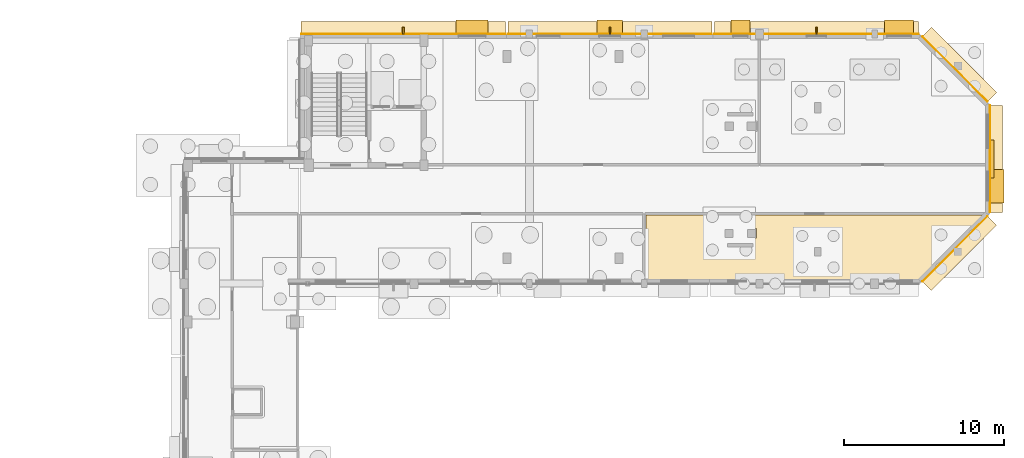
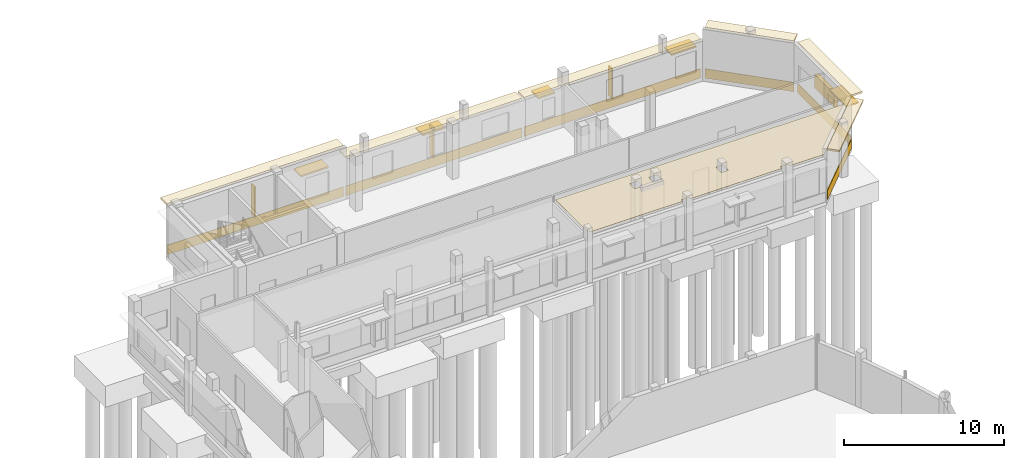
# One storey, part 92 of 93: 13 coverings, 9 shading devices.
"""IFC4 building model written with IfcOpenShell, lengths in metres."""

from ifc_helpers import new_model, si_unit, direction, frame, origin, origin_2d, place, context, subcontext, project, spatial, polyline, rectangle, outline, extrude, material, layer, layer_set, type_object, element, save


model = new_model("IFC4")

# Units and contexts
model_context = context("Model", 3, precision=1e-05, world=origin(), true_north=direction((0.0, 1.0)))
body_context = subcontext(model_context, "Body", "Model", "MODEL_VIEW")
ifc_project = project(units=[si_unit("LENGTHUNIT", "METRE"), si_unit("AREAUNIT", "SQUARE_METRE"), si_unit("VOLUMEUNIT", "CUBIC_METRE"), si_unit("PLANEANGLEUNIT", "RADIAN"), si_unit("MASSUNIT", "GRAM", prefix="KILO")], contexts=[model_context])

# Site, building, storey
site_placement = place(None, origin())
site = spatial("IfcSite", under=ifc_project, at=site_placement, CompositionType="ELEMENT")
building_placement = place(site_placement, origin())
building = spatial("IfcBuilding", under=site, at=building_placement, Name="Kelanivale Promenade Academy", CompositionType="ELEMENT")
storey_placement = place(building_placement, origin())
storey = spatial("IfcBuildingStorey", under=building, at=storey_placement, Name="L00", CompositionType="ELEMENT", Elevation=0.0)

# Coverings
ifc_material_1 = material(Name="Warm ivory Art Deco stucco frieze band 40 mm", Category="masonry")
ifc_layer_1 = layer(ifc_material_1, 0.0400390625)
ifc_layer_set_1 = layer_set([ifc_layer_1], Name="Warm ivory Art Deco stucco frieze band 40 mm")
covering_type_1 = type_object("IfcCoveringType", Name="COV-CLD2 Warm ivory Art Deco stucco frieze ba", PredefinedType="CLADDING", material=ifc_layer_set_1)
covering_1_placement = place(storey_placement, frame((164.09912109375, 98.301025390625, 3.81982421875), z_axis=(0.0, 0.0, 1.0), x_axis=(0.707106781187, 0.707106781187, 0.0)))
element("IfcCovering", 1, at=covering_1_placement, inside=storey, type_object=covering_type_1, Name="Art Deco projecting 820 mm streamline sunshade eyebrow ledge", PredefinedType="CLADDING", context=body_context, shape_type="SweptSolid", body=[
    extrude(rectangle(XDim=5.777099609375, YDim=0.820068359375, at=origin_2d()), origin(), (0.0, 0.0, 1.0), 0.139892578125),
])
covering_2_placement = place(storey_placement, frame((163.826904296875, 98.572998046875, 0.06005859375), z_axis=(0.0, 0.0, 1.0), x_axis=(0.707106781187, 0.707106781187, 0.0)))
element("IfcCovering", 2, at=covering_2_placement, inside=storey, type_object=covering_type_1, Name="Art Deco ivory stucco sill frieze band", PredefinedType="CLADDING", context=body_context, shape_type="SweptSolid", body=[
    extrude(rectangle(XDim=5.777099609375, YDim=0.0400390625, at=origin_2d()), origin(), (0.0, 0.0, 1.0), 0.719970703125),
])
covering_3_placement = place(storey_placement, frame((166.39990234375, 104.199951171875, 3.81982421875), z_axis=(0.0, 0.0, 1.0), x_axis=(0.0, 1.0, 0.0)))
element("IfcCovering", 3, at=covering_3_placement, inside=storey, type_object=covering_type_1, Name="Art Deco projecting 820 mm streamline sunshade eyebrow ledge", PredefinedType="CLADDING", context=body_context, shape_type="SweptSolid", body=[
    extrude(rectangle(XDim=6.699951171875, YDim=0.820068359375, at=origin_2d()), origin(), (0.0, 0.0, 1.0), 0.139892578125),
])
covering_4_placement = place(storey_placement, frame((166.014892578125, 104.199951171875, 0.06005859375), z_axis=(0.0, 0.0, 1.0), x_axis=(0.0, 1.0, 0.0)))
element("IfcCovering", 4, at=covering_4_placement, inside=storey, type_object=covering_type_1, Name="Art Deco ivory stucco sill frieze band", PredefinedType="CLADDING", context=body_context, shape_type="SweptSolid", body=[
    extrude(rectangle(XDim=6.699951171875, YDim=0.0400390625, at=origin_2d()), origin(), (0.0, 0.0, 1.0), 0.719970703125),
])
covering_5_placement = place(storey_placement, frame((164.09912109375, 110.09912109375, 3.81982421875), z_axis=(0.0, 0.0, 1.0), x_axis=(-0.707106781187, 0.707106781187, 0.0)))
element("IfcCovering", 5, at=covering_5_placement, inside=storey, type_object=covering_type_1, Name="Art Deco projecting 820 mm streamline sunshade eyebrow ledge", PredefinedType="CLADDING", context=body_context, shape_type="SweptSolid", body=[
    extrude(rectangle(XDim=5.777099609375, YDim=0.820068359375, at=origin_2d()), origin(), (0.0, 0.0, 1.0), 0.139892578125),
])
covering_6_placement = place(storey_placement, frame((163.826904296875, 109.826904296875, 0.06005859375), z_axis=(0.0, 0.0, 1.0), x_axis=(-0.707106781187, 0.707106781187, 0.0)))
element("IfcCovering", 6, at=covering_6_placement, inside=storey, type_object=covering_type_1, Name="Art Deco ivory stucco sill frieze band", PredefinedType="CLADDING", context=body_context, shape_type="SweptSolid", body=[
    extrude(rectangle(XDim=5.777099609375, YDim=0.0400390625, at=origin_2d()), origin(), (0.0, 0.0, 1.0), 0.719970703125),
])
covering_7_placement = place(storey_placement, frame((155.166015625, 112.39990234375, 2.9052734375), z_axis=(0.0, 0.0, 1.0), x_axis=(-1.0, 0.0, 0.0)))
element("IfcCovering", 7, at=covering_7_placement, inside=storey, type_object=covering_type_1, Name="Art Deco projecting 820 mm streamline sunshade eyebrow ledge", PredefinedType="CLADDING", context=body_context, shape_type="SweptSolid", body=[
    extrude(rectangle(XDim=12.76708984375, YDim=0.820068359375, at=origin_2d()), origin(), (0.0, 0.0, 1.0), 0.139892578125),
])
covering_8_placement = place(storey_placement, frame((155.166015625, 112.014892578125, 0.06005859375), z_axis=(0.0, 0.0, 1.0), x_axis=(-1.0, 0.0, 0.0)))
element("IfcCovering", 8, at=covering_8_placement, inside=storey, type_object=covering_type_1, Name="Art Deco ivory stucco sill frieze band", PredefinedType="CLADDING", context=body_context, shape_type="SweptSolid", body=[
    extrude(rectangle(XDim=12.76708984375, YDim=0.0400390625, at=origin_2d()), origin(), (0.0, 0.0, 1.0), 0.719970703125),
])
covering_9_placement = place(storey_placement, frame((142.239990234375, 112.39990234375, 2.9052734375), z_axis=(0.0, 0.0, 1.0), x_axis=(-1.0, 0.0, 0.0)))
element("IfcCovering", 9, at=covering_9_placement, inside=storey, type_object=covering_type_1, Name="Art Deco projecting 820 mm streamline sunshade eyebrow ledge", PredefinedType="CLADDING", context=body_context, shape_type="SweptSolid", body=[
    extrude(rectangle(XDim=12.76611328125, YDim=0.820068359375, at=origin_2d()), origin(), (0.0, 0.0, 1.0), 0.139892578125),
])
covering_10_placement = place(storey_placement, frame((142.239990234375, 112.014892578125, 0.06005859375), z_axis=(0.0, 0.0, 1.0), x_axis=(-1.0, 0.0, 0.0)))
element("IfcCovering", 10, at=covering_10_placement, inside=storey, type_object=covering_type_1, Name="Art Deco ivory stucco sill frieze band", PredefinedType="CLADDING", context=body_context, shape_type="SweptSolid", body=[
    extrude(rectangle(XDim=12.76611328125, YDim=0.0400390625, at=origin_2d()), origin(), (0.0, 0.0, 1.0), 0.719970703125),
])
covering_11_placement = place(storey_placement, frame((129.31298828125, 112.39990234375, 3.81982421875), z_axis=(0.0, 0.0, 1.0), x_axis=(-1.0, 0.0, 0.0)))
element("IfcCovering", 11, at=covering_11_placement, inside=storey, type_object=covering_type_1, Name="Art Deco projecting 820 mm streamline sunshade eyebrow ledge", PredefinedType="CLADDING", context=body_context, shape_type="SweptSolid", body=[
    extrude(rectangle(XDim=12.76708984375, YDim=0.820068359375, at=origin_2d()), origin(), (0.0, 0.0, 1.0), 0.139892578125),
])
covering_12_placement = place(storey_placement, frame((129.31298828125, 112.014892578125, 0.06005859375), z_axis=(0.0, 0.0, 1.0), x_axis=(-1.0, 0.0, 0.0)))
element("IfcCovering", 12, at=covering_12_placement, inside=storey, type_object=covering_type_1, Name="Art Deco ivory stucco sill frieze band", PredefinedType="CLADDING", context=body_context, shape_type="SweptSolid", body=[
    extrude(rectangle(XDim=12.76708984375, YDim=0.0400390625, at=origin_2d()), origin(), (0.0, 0.0, 1.0), 0.719970703125),
])
ifc_material_2 = material(Name="Acoustic mineral-fibre ceiling tile 25 mm", Category="gypsum")
ifc_layer_2 = layer(ifc_material_2, 0.02490234375)
ifc_layer_set_2 = layer_set([ifc_layer_2], Name="Acoustic mineral-fibre ceiling tile 25 mm")
covering_type_2 = type_object("IfcCoveringType", Name="COV-CLG1 Acoustic mineral-fibre ceiling tile ", PredefinedType="CEILING", material=ifc_layer_set_2)
covering_13_placement = place(storey_placement, frame((0.0, 0.0, 3.550048828125)))
element("IfcCovering", 13, at=covering_13_placement, inside=storey, type_object=covering_type_2, Name="General Science Laboratory acoustic suspended ceiling", PredefinedType="CEILING", context=body_context, shape_type="SweptSolid", body=[
    extrude(outline(polyline([(144.510009765625, 100.68994140625), (144.510009765625, 96.7099609375), (144.594970703125, 96.7099609375), (144.59912109375, 96.7099609375), (144.60302734375, 96.708984375), (144.60693359375, 96.7080078125), (144.610107421875, 96.70703125), (144.614013671875, 96.705078125), (144.616943359375, 96.702880859375), (144.6201171875, 96.700927734375), (144.623046875, 96.697998046875), (144.6259765625, 96.695068359375), (144.6279296875, 96.69189453125), (144.6298828125, 96.68896484375), (144.632080078125, 96.68505859375), (144.633056640625, 96.681884765625), (144.634033203125, 96.677978515625), (144.635009765625, 96.674072265625), (144.635009765625, 96.669921875), (144.635009765625, 96.550048828125), (151.31494140625, 96.550048828125), (151.31494140625, 96.695068359375), (151.31494140625, 96.698974609375), (151.31591796875, 96.702880859375), (151.31689453125, 96.70703125), (151.318115234375, 96.7099609375), (151.320068359375, 96.714111328125), (151.322021484375, 96.717041015625), (151.323974609375, 96.719970703125), (151.326904296875, 96.722900390625), (151.330078125, 96.72607421875), (151.3330078125, 96.72802734375), (151.3359375, 96.72998046875), (151.340087890625, 96.73193359375), (151.343017578125, 96.73291015625), (151.346923828125, 96.73388671875), (151.35107421875, 96.735107421875), (151.35498046875, 96.735107421875), (151.844970703125, 96.735107421875), (151.84912109375, 96.735107421875), (151.85302734375, 96.73388671875), (151.85693359375, 96.73291015625), (151.860107421875, 96.73193359375), (151.864013671875, 96.72998046875), (151.866943359375, 96.72802734375), (151.8701171875, 96.72607421875), (151.873046875, 96.722900390625), (151.8759765625, 96.719970703125), (151.8779296875, 96.717041015625), (151.8798828125, 96.714111328125), (151.882080078125, 96.7099609375), (151.883056640625, 96.70703125), (151.884033203125, 96.702880859375), (151.885009765625, 96.698974609375), (151.885009765625, 96.695068359375), (151.885009765625, 96.550048828125), (158.489990234375, 96.550048828125), (158.489990234375, 96.719970703125), (158.489990234375, 96.72412109375), (158.490966796875, 96.72802734375), (158.491943359375, 96.73193359375), (158.492919921875, 96.735107421875), (158.4951171875, 96.739013671875), (158.4970703125, 96.741943359375), (158.4990234375, 96.7451171875), (158.501953125, 96.748046875), (158.5048828125, 96.7509765625), (158.508056640625, 96.7529296875), (158.510986328125, 96.7548828125), (158.514892578125, 96.757080078125), (158.51806640625, 96.758056640625), (158.52197265625, 96.759033203125), (158.52587890625, 96.760009765625), (158.530029296875, 96.760009765625), (159.070068359375, 96.760009765625), (159.073974609375, 96.760009765625), (159.077880859375, 96.759033203125), (159.08203125, 96.758056640625), (159.0849609375, 96.757080078125), (159.089111328125, 96.7548828125), (159.092041015625, 96.7529296875), (159.094970703125, 96.7509765625), (159.097900390625, 96.748046875), (159.10107421875, 96.7451171875), (159.10302734375, 96.741943359375), (159.10498046875, 96.739013671875), (159.10693359375, 96.735107421875), (159.10791015625, 96.73193359375), (159.10888671875, 96.72802734375), (159.110107421875, 96.72412109375), (159.110107421875, 96.719970703125), (159.110107421875, 96.550048828125), (161.570068359375, 96.550048828125), (165.7099609375, 100.68994140625), (144.510009765625, 100.68994140625)]), holes=[polyline([(155.510009765625, 98.10498046875), (155.510009765625, 98.10107421875), (155.509033203125, 98.096923828125), (155.508056640625, 98.093017578125), (155.507080078125, 98.090087890625), (155.5048828125, 98.0859375), (155.5029296875, 98.0830078125), (155.5009765625, 98.080078125), (155.498046875, 98.076904296875), (155.4951171875, 98.073974609375), (155.491943359375, 98.072021484375), (155.489013671875, 98.070068359375), (155.485107421875, 98.068115234375), (155.48193359375, 98.06689453125), (155.47802734375, 98.06591796875), (155.47412109375, 98.06494140625), (155.469970703125, 98.06494140625), (155.030029296875, 98.06494140625), (155.02587890625, 98.06494140625), (155.02197265625, 98.06591796875), (155.01806640625, 98.06689453125), (155.014892578125, 98.068115234375), (155.010986328125, 98.070068359375), (155.008056640625, 98.072021484375), (155.0048828125, 98.073974609375), (155.001953125, 98.076904296875), (154.9990234375, 98.080078125), (154.9970703125, 98.0830078125), (154.9951171875, 98.0859375), (154.992919921875, 98.090087890625), (154.991943359375, 98.093017578125), (154.990966796875, 98.096923828125), (154.989990234375, 98.10107421875), (154.989990234375, 98.10498046875), (154.989990234375, 98.695068359375), (154.989990234375, 98.698974609375), (154.990966796875, 98.702880859375), (154.991943359375, 98.70703125), (154.992919921875, 98.7099609375), (154.9951171875, 98.714111328125), (154.9970703125, 98.717041015625), (154.9990234375, 98.719970703125), (155.001953125, 98.722900390625), (155.0048828125, 98.72607421875), (155.008056640625, 98.72802734375), (155.010986328125, 98.72998046875), (155.014892578125, 98.73193359375), (155.01806640625, 98.73291015625), (155.02197265625, 98.73388671875), (155.02587890625, 98.735107421875), (155.030029296875, 98.735107421875), (155.469970703125, 98.735107421875), (155.47412109375, 98.735107421875), (155.47802734375, 98.73388671875), (155.48193359375, 98.73291015625), (155.485107421875, 98.73193359375), (155.489013671875, 98.72998046875), (155.491943359375, 98.72802734375), (155.4951171875, 98.72607421875), (155.498046875, 98.722900390625), (155.5009765625, 98.719970703125), (155.5029296875, 98.717041015625), (155.5048828125, 98.714111328125), (155.507080078125, 98.7099609375), (155.508056640625, 98.70703125), (155.509033203125, 98.702880859375), (155.510009765625, 98.698974609375), (155.510009765625, 98.695068359375), (155.510009765625, 98.10498046875)]), polyline([(150.830078125, 99.239990234375), (150.825927734375, 99.239990234375), (150.822021484375, 99.240966796875), (150.818115234375, 99.241943359375), (150.81494140625, 99.242919921875), (150.81103515625, 99.2451171875), (150.80810546875, 99.2470703125), (150.804931640625, 99.2490234375), (150.802001953125, 99.251953125), (150.799072265625, 99.2548828125), (150.797119140625, 99.258056640625), (150.794921875, 99.260986328125), (150.79296875, 99.264892578125), (150.7919921875, 99.26806640625), (150.791015625, 99.27197265625), (150.7900390625, 99.27587890625), (150.7900390625, 99.280029296875), (150.7900390625, 99.820068359375), (150.7900390625, 99.823974609375), (150.791015625, 99.827880859375), (150.7919921875, 99.83203125), (150.79296875, 99.8349609375), (150.794921875, 99.839111328125), (150.797119140625, 99.842041015625), (150.799072265625, 99.844970703125), (150.802001953125, 99.847900390625), (150.804931640625, 99.85107421875), (150.80810546875, 99.85302734375), (150.81103515625, 99.85498046875), (150.81494140625, 99.85693359375), (150.818115234375, 99.85791015625), (150.822021484375, 99.85888671875), (150.825927734375, 99.860107421875), (150.830078125, 99.860107421875), (151.3701171875, 99.860107421875), (151.3740234375, 99.860107421875), (151.3779296875, 99.85888671875), (151.382080078125, 99.85791015625), (151.385009765625, 99.85693359375), (151.388916015625, 99.85498046875), (151.39208984375, 99.85302734375), (151.39501953125, 99.85107421875), (151.39794921875, 99.847900390625), (151.40087890625, 99.844970703125), (151.403076171875, 99.842041015625), (151.405029296875, 99.839111328125), (151.406982421875, 99.8349609375), (151.407958984375, 99.83203125), (151.408935546875, 99.827880859375), (151.409912109375, 99.823974609375), (151.409912109375, 99.820068359375), (151.409912109375, 99.280029296875), (151.409912109375, 99.27587890625), (151.408935546875, 99.27197265625), (151.407958984375, 99.26806640625), (151.406982421875, 99.264892578125), (151.405029296875, 99.260986328125), (151.403076171875, 99.258056640625), (151.40087890625, 99.2548828125), (151.39794921875, 99.251953125), (151.39501953125, 99.2490234375), (151.39208984375, 99.2470703125), (151.388916015625, 99.2451171875), (151.385009765625, 99.242919921875), (151.382080078125, 99.241943359375), (151.3779296875, 99.240966796875), (151.3740234375, 99.239990234375), (151.3701171875, 99.239990234375), (150.830078125, 99.239990234375)]), polyline([(150.010009765625, 99.280029296875), (150.010009765625, 99.27587890625), (150.009033203125, 99.27197265625), (150.008056640625, 99.26806640625), (150.007080078125, 99.264892578125), (150.0048828125, 99.260986328125), (150.0029296875, 99.258056640625), (150.0009765625, 99.2548828125), (149.998046875, 99.251953125), (149.9951171875, 99.2490234375), (149.991943359375, 99.2470703125), (149.989013671875, 99.2451171875), (149.985107421875, 99.242919921875), (149.98193359375, 99.241943359375), (149.97802734375, 99.240966796875), (149.97412109375, 99.239990234375), (149.969970703125, 99.239990234375), (149.429931640625, 99.239990234375), (149.426025390625, 99.239990234375), (149.422119140625, 99.240966796875), (149.41796875, 99.241943359375), (149.4150390625, 99.242919921875), (149.410888671875, 99.2451171875), (149.407958984375, 99.2470703125), (149.405029296875, 99.2490234375), (149.402099609375, 99.251953125), (149.39892578125, 99.2548828125), (149.39697265625, 99.258056640625), (149.39501953125, 99.260986328125), (149.39306640625, 99.264892578125), (149.39208984375, 99.26806640625), (149.39111328125, 99.27197265625), (149.389892578125, 99.27587890625), (149.389892578125, 99.280029296875), (149.389892578125, 99.820068359375), (149.389892578125, 99.823974609375), (149.39111328125, 99.827880859375), (149.39208984375, 99.83203125), (149.39306640625, 99.8349609375), (149.39501953125, 99.839111328125), (149.39697265625, 99.842041015625), (149.39892578125, 99.844970703125), (149.402099609375, 99.847900390625), (149.405029296875, 99.85107421875), (149.407958984375, 99.85302734375), (149.410888671875, 99.85498046875), (149.4150390625, 99.85693359375), (149.41796875, 99.85791015625), (149.422119140625, 99.85888671875), (149.426025390625, 99.860107421875), (149.429931640625, 99.860107421875), (149.969970703125, 99.860107421875), (149.97412109375, 99.860107421875), (149.97802734375, 99.85888671875), (149.98193359375, 99.85791015625), (149.985107421875, 99.85693359375), (149.989013671875, 99.85498046875), (149.991943359375, 99.85302734375), (149.9951171875, 99.85107421875), (149.998046875, 99.847900390625), (150.0009765625, 99.844970703125), (150.0029296875, 99.842041015625), (150.0048828125, 99.839111328125), (150.007080078125, 99.8349609375), (150.008056640625, 99.83203125), (150.009033203125, 99.827880859375), (150.010009765625, 99.823974609375), (150.010009765625, 99.820068359375), (150.010009765625, 99.280029296875)])]), origin(), (0.0, 0.0, 1.0), 0.02490234375),
])

# Shading devices
ifc_material_3 = material(Name="Precast concrete C40/50", Category="concrete")
ifc_layer_3 = layer(ifc_material_3, 0.1201171875)
ifc_layer_set_3 = layer_set([ifc_layer_3], Name="Precast concrete C40/50")
shading_device_type_1 = type_object("IfcShadingDeviceType", Name="SHD-01 Art Deco Sunshade Eyebrow 900mm", PredefinedType="USERDEFINED", material=ifc_layer_set_3)
shading_device_1_placement = place(storey_placement, frame((166.43994140625, 102.485107421875, 2.659912109375), z_axis=(0.0, 0.0, 1.0), x_axis=(0.0, 1.0, 0.0)))
element("IfcShadingDevice", 14, at=shading_device_1_placement, inside=storey, type_object=shading_device_type_1, Name="Art Deco 900 mm precast chajja window sunshade", ObjectType="SUNSHADE", PredefinedType="USERDEFINED", context=body_context, shape_type="SweptSolid", body=[
    extrude(rectangle(XDim=2.10009765625, YDim=0.89990234375, at=origin_2d()), origin(), (0.0, 0.0, 1.0), 0.1201171875),
])
shading_device_2_placement = place(storey_placement, frame((160.325927734375, 112.43994140625, 2.510009765625), z_axis=(0.0, 0.0, 1.0), x_axis=(-1.0, 0.0, 0.0)))
element("IfcShadingDevice", 15, at=shading_device_2_placement, inside=storey, type_object=shading_device_type_1, Name="Art Deco 900 mm precast chajja window sunshade", ObjectType="SUNSHADE", PredefinedType="USERDEFINED", context=body_context, shape_type="SweptSolid", body=[
    extrude(rectangle(XDim=1.800048828125, YDim=0.89990234375, at=origin_2d()), origin(), (0.0, 0.0, 1.0), 0.1201171875),
])
shading_device_3_placement = place(storey_placement, frame((150.407958984375, 112.43994140625, 2.56005859375), z_axis=(0.0, 0.0, 1.0), x_axis=(-1.0, 0.0, 0.0)))
element("IfcShadingDevice", 16, at=shading_device_3_placement, inside=storey, type_object=shading_device_type_1, Name="Art Deco 900 mm precast chajja window sunshade", ObjectType="SUNSHADE", PredefinedType="USERDEFINED", context=body_context, shape_type="SweptSolid", body=[
    extrude(rectangle(XDim=1.199951171875, YDim=0.89990234375, at=origin_2d()), origin(), (0.0, 0.0, 1.0), 0.1201171875),
])
shading_device_4_placement = place(storey_placement, frame((142.239990234375, 112.43994140625, 2.659912109375), z_axis=(0.0, 0.0, 1.0), x_axis=(-1.0, 0.0, 0.0)))
element("IfcShadingDevice", 17, at=shading_device_4_placement, inside=storey, type_object=shading_device_type_1, Name="Art Deco 900 mm precast chajja window sunshade", ObjectType="SUNSHADE", PredefinedType="USERDEFINED", context=body_context, shape_type="SweptSolid", body=[
    extrude(rectangle(XDim=1.60009765625, YDim=0.89990234375, at=origin_2d()), origin(), (0.0, 0.0, 1.0), 0.1201171875),
])
shading_device_5_placement = place(storey_placement, frame((133.623046875, 112.43994140625, 2.60986328125), z_axis=(0.0, 0.0, 1.0), x_axis=(-1.0, 0.0, 0.0)))
element("IfcShadingDevice", 18, at=shading_device_5_placement, inside=storey, type_object=shading_device_type_1, Name="Art Deco 900 mm precast chajja window sunshade", ObjectType="SUNSHADE", PredefinedType="USERDEFINED", context=body_context, shape_type="SweptSolid", body=[
    extrude(rectangle(XDim=2.0, YDim=0.89990234375, at=origin_2d()), origin(), (0.0, 0.0, 1.0), 0.1201171875),
])
ifc_material_4 = material(Name="Bronze anodised aluminium EN AW-6063 T6", Category="aluminium")
ifc_layer_4 = layer(ifc_material_4, 0.080078125)
ifc_layer_set_4 = layer_set([ifc_layer_4], Name="Bronze anodised aluminium EN AW-6063 T6")
shading_device_type_2 = type_object("IfcShadingDeviceType", Name="SHD-02 Perforated Brise-Soleil Screen", PredefinedType="JALOUSIE", material=ifc_layer_set_4)
shading_device_6_placement = place(storey_placement, frame((166.135009765625, 104.199951171875, 1.72509765625), z_axis=(0.0, 0.0, 1.0), x_axis=(0.0, 1.0, 0.0)))
element("IfcShadingDevice", 19, at=shading_device_6_placement, inside=storey, type_object=shading_device_type_2, Name="Perforated Art Deco brise-soleil louvre screen", PredefinedType="JALOUSIE", context=body_context, shape_type="SweptSolid", body=[
    extrude(rectangle(XDim=2.39990234375, YDim=0.280029296875, at=origin_2d()), origin(), (0.0, 0.0, 1.0), 1.050048828125),
])
ifc_layer_5 = layer(ifc_material_4, 0.10009765625)
ifc_layer_set_5 = layer_set([ifc_layer_5], Name="Bronze anodised aluminium EN AW-6063 T6")
shading_device_type_3 = type_object("IfcShadingDeviceType", Name="SHD-03 Vertical Fluted Solar Fin", PredefinedType="USERDEFINED", material=ifc_layer_set_5)
for number, where, z_axis, x_axis, name in (
    (20, (155.166015625, 112.219970703125, 0.7001953125), (0.0, 0.0, 1.0), (-1.0, 0.0, 0.0), "Vertical fluted Art Deco solar fin"),
    (21, (142.239990234375, 112.219970703125, 0.7001953125), (0.0, 0.0, 1.0), (-1.0, 0.0, 0.0), "Vertical fluted Art Deco solar fin"),
    (22, (129.31298828125, 112.219970703125, 0.7001953125), (0.0, 0.0, 1.0), (-1.0, 0.0, 0.0), "Vertical fluted Art Deco solar fin"),
):
    element("IfcShadingDevice", number, at=place(storey_placement, frame(where, z_axis=z_axis, x_axis=x_axis)), inside=storey, type_object=shading_device_type_3, Name=name, ObjectType="SOLAR FIN", PredefinedType="USERDEFINED", context=body_context, shape_type="SweptSolid", body=[
        extrude(rectangle(XDim=0.10009765625, YDim=0.449951171875, at=origin_2d()), origin(), (0.0, 0.0, 1.0), 2.300048828125),
    ])

save(model, "model.ifc")
